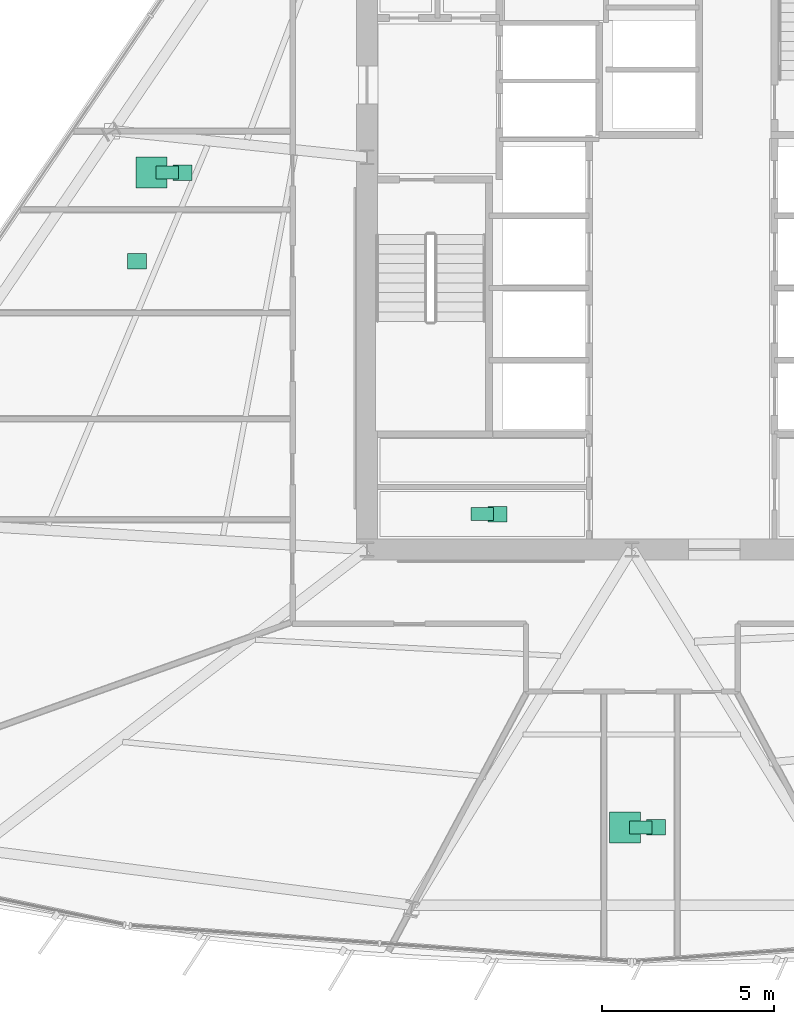
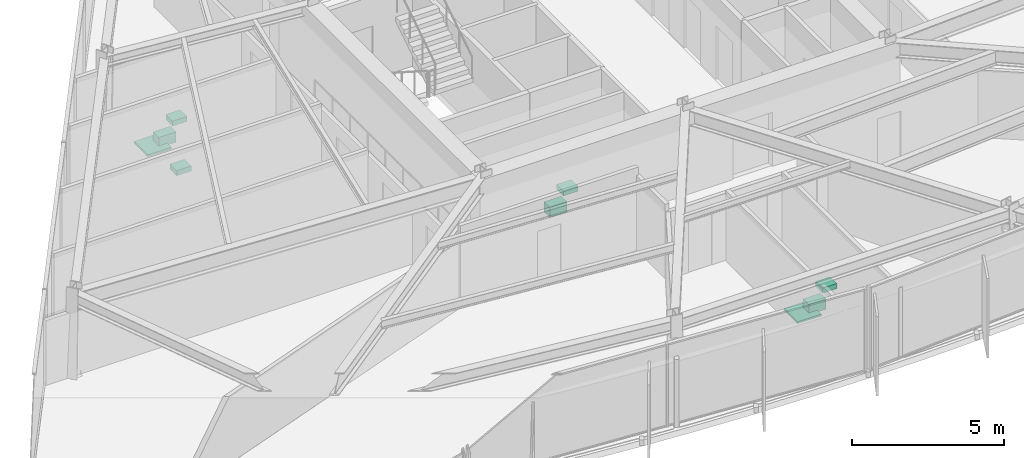
# One storey, part 15 of 15: 9 sanitary terminals.
"""IFC4 building model written with IfcOpenShell, lengths in metres."""

from ifc_helpers import new_model, si_unit, direction, frame, origin, origin_2d, place, context, subcontext, project, spatial, rectangle, extrude, material, type_object, element, save


model = new_model("IFC4")

# Units and contexts
model_context = context("Model", 3, precision=1e-05, world=origin(), true_north=direction((0.0, 1.0)))
body_context = subcontext(model_context, "Body", "Model", "MODEL_VIEW")
ifc_project = project(units=[si_unit("LENGTHUNIT", "METRE"), si_unit("AREAUNIT", "SQUARE_METRE"), si_unit("VOLUMEUNIT", "CUBIC_METRE"), si_unit("PLANEANGLEUNIT", "RADIAN"), si_unit("MASSUNIT", "GRAM", prefix="KILO")], contexts=[model_context])

# Site, building, storey
site_placement = place(None, origin())
site = spatial("IfcSite", under=ifc_project, at=site_placement, CompositionType="ELEMENT")
building_placement = place(site_placement, origin())
building = spatial("IfcBuilding", under=site, at=building_placement, Name="Savorim Split Tower", CompositionType="ELEMENT")
storey_placement = place(building_placement, frame((0.0, 0.0, 89.699951171875)))
storey = spatial("IfcBuildingStorey", under=building, at=storey_placement, Name="L23", CompositionType="ELEMENT", Elevation=89.699951171875)

# Sanitary terminals
ifc_material = material(Name="Vitreous China Sanitaryware")
sanitary_terminal_type_1 = type_object("IfcSanitaryTerminalType", Name="SAN-SHW-900", PredefinedType="SHOWER", material=ifc_material)
for number, where, z_axis, x_axis, name in (
    (1, (-0.1943359375, -17.47900390625, 0.0), (0.0, 0.0, 1.0), (1.0, 0.0, 0.0), "L23 Shared Bathroom Shower"),
    (2, (-13.9580078125, 1.554443359375, 0.0), (0.0, 0.0, 1.0), (1.0, 0.0, 0.0), "L23 Shared Bathroom Shower"),
):
    element("IfcSanitaryTerminal", number, at=place(storey_placement, frame(where, z_axis=z_axis, x_axis=x_axis)), inside=storey, type_object=sanitary_terminal_type_1, Name=name, PredefinedType="SHOWER", context=body_context, shape_type="SweptSolid", body=[
        extrude(rectangle(XDim=0.89990234375, YDim=0.89990234375, at=origin_2d()), origin(), (0.0, 0.0, 1.0), 0.080078125),
    ])
sanitary_terminal_type_2 = type_object("IfcSanitaryTerminalType", Name="SAN-WC-PAN", PredefinedType="TOILETPAN", material=ifc_material)
for number, where, z_axis, x_axis, name in (
    (3, (-4.35009765625, -8.3701171875, 0.0), (0.0, 0.0, 1.0), (1.0, 0.0, 0.0), "L23 Public WC WC Pan"),
    (4, (0.255615234375, -17.47900390625, 0.0), (0.0, 0.0, 1.0), (1.0, 0.0, 0.0), "L23 Shared Bathroom WC Pan"),
    (5, (-13.5078125, 1.554443359375, 0.0), (0.0, 0.0, 1.0), (1.0, 0.0, 0.0), "L23 Shared Bathroom WC Pan"),
):
    element("IfcSanitaryTerminal", number, at=place(storey_placement, frame(where, z_axis=z_axis, x_axis=x_axis)), inside=storey, type_object=sanitary_terminal_type_2, Name=name, PredefinedType="TOILETPAN", context=body_context, shape_type="SweptSolid", body=[
        extrude(rectangle(XDim=0.64990234375, YDim=0.3798828125, at=origin_2d()), origin(), (0.0, 0.0, 1.0), 0.419921875),
    ])
sanitary_terminal_type_3 = type_object("IfcSanitaryTerminalType", Name="SAN-WHB-550", PredefinedType="WASHHANDBASIN", material=ifc_material)
for number, where, z_axis, x_axis, name in (
    (6, (-3.89990234375, -8.3701171875, 0.72021484375), (0.0, 0.0, 1.0), (1.0, 0.0, 0.0), "L23 Public WC Washhand Basin"),
    (7, (-14.3837890625, -1.020751953125, 0.75), (0.0, 0.0, 1.0), (1.0, 0.0, 0.0), "L23 Shared Kitchen Utility Sink"),
    (8, (0.70556640625, -17.47900390625, 0.72021484375), (0.0, 0.0, 1.0), (1.0, 0.0, 0.0), "L23 Shared Bathroom Washhand Basin"),
    (9, (-13.057861328125, 1.554443359375, 0.72021484375), (0.0, 0.0, 1.0), (1.0, 0.0, 0.0), "L23 Shared Bathroom Washhand Basin"),
):
    element("IfcSanitaryTerminal", number, at=place(storey_placement, frame(where, z_axis=z_axis, x_axis=x_axis)), inside=storey, type_object=sanitary_terminal_type_3, Name=name, PredefinedType="WASHHANDBASIN", context=body_context, shape_type="SweptSolid", body=[
        extrude(rectangle(XDim=0.550048828125, YDim=0.449951171875, at=origin_2d()), origin(), (0.0, 0.0, 1.0), 0.199951171875),
    ])

save(model, "model.ifc")
